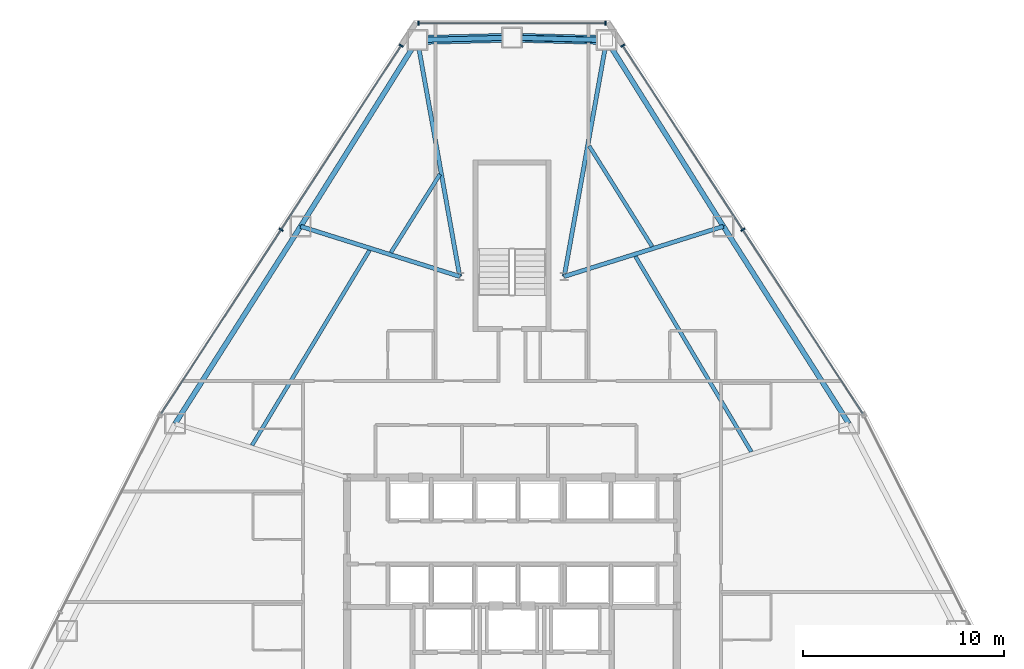
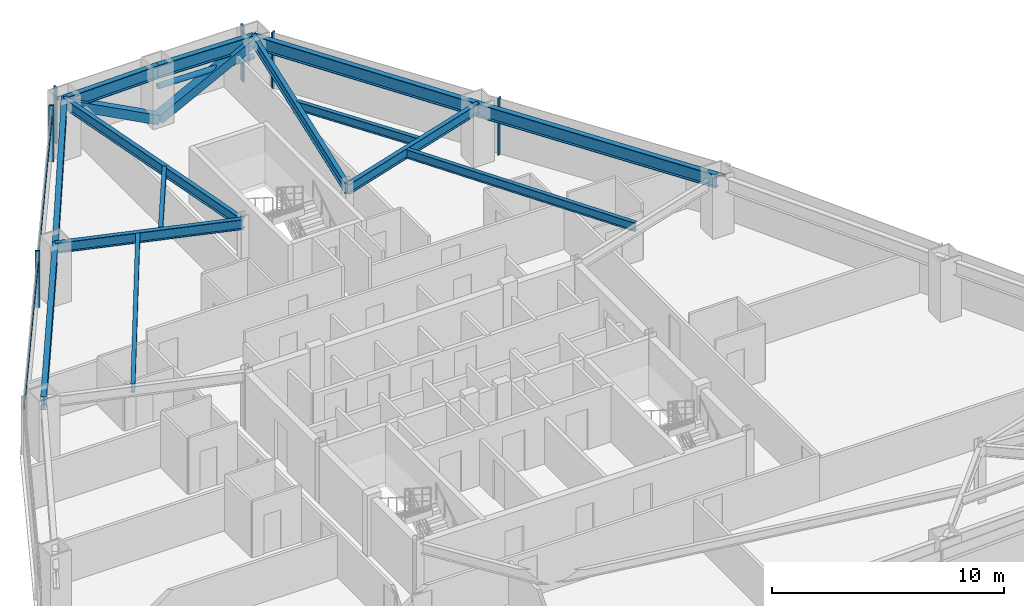
# One storey, part 7 of 12: 14 beams, 12 members, 3 elements without a shape of their own.
"""IFC4 building model written with IfcOpenShell, lengths in metres."""

from ifc_helpers import new_model, si_unit, direction, frame, origin, origin_2d, place, context, subcontext, project, spatial, rectangle, hollow_rectangle, hollow_circle, i_section, extrude, source, transform, mapped, material, layer, layer_set, material_profile, profile_set, type_object, type_shapes, element, aggregate, save


model = new_model("IFC4")

# Units and contexts
model_context = context("Model", 3, precision=1e-05, world=origin(), true_north=direction((0.0, 1.0)))
body_context = subcontext(model_context, "Body", "Model", "MODEL_VIEW")
ifc_project = project(units=[si_unit("LENGTHUNIT", "METRE"), si_unit("AREAUNIT", "SQUARE_METRE"), si_unit("VOLUMEUNIT", "CUBIC_METRE"), si_unit("PLANEANGLEUNIT", "RADIAN"), si_unit("MASSUNIT", "GRAM", prefix="KILO")], contexts=[model_context])

# Site, building, storey
site_placement = place(None, origin())
site = spatial("IfcSite", under=ifc_project, at=site_placement, CompositionType="ELEMENT")
building_placement = place(site_placement, origin())
building = spatial("IfcBuilding", under=site, at=building_placement, Name="Varakhsha Concourse Tower", CompositionType="ELEMENT")
storey_placement = place(building_placement, frame((0.0, 0.0, 76.60009765625)))
storey = spatial("IfcBuildingStorey", under=building, at=storey_placement, Name="L21", CompositionType="ELEMENT", Elevation=76.60009765625)

# Beams
ifc_material_1 = material(Name="Structural Steel ASTM A992 Grade 50", Category="steel")
ifc_material_profile_1 = material_profile(ifc_material_1, i_section(OverallWidth=0.19091796875, OverallDepth=0.45703125, WebThickness=0.009033203125, FlangeThickness=0.013916015625, at=origin_2d()), Name="W18X50")
ifc_profile_set_1 = profile_set([ifc_material_profile_1], Name="Structural Steel ASTM A992 Grade 50")
beam_type_1 = type_object("IfcBeamType", Name="BM-JST-W18X50", PredefinedType="JOIST", material=ifc_profile_set_1)
beam_1_placement = place(storey_placement, frame((36.4140625, 46.28271484375, 2.741455078125), z_axis=(-0.531044651277, -0.847343837147, 0.0), x_axis=(0.847343837147, -0.531044651277, 0.0)))
element("IfcBeam", 1, at=beam_1_placement, inside=storey, type_object=beam_type_1, Name="BM-TJST-L21-03", PredefinedType="JOIST", context=body_context, shape_type="SweptSolid", body=[
    extrude(i_section(OverallWidth=0.19091796875, OverallDepth=0.45703125, WebThickness=0.009033203125, FlangeThickness=0.013916015625, at=origin_2d()), origin(), (0.0, 0.0, 1.0), 4.59423828125),
])
beam_2_placement = place(storey_placement, frame((32.908935546875, 42.501708984375, 2.741455078125), z_axis=(-0.515971307479, -0.856605866113, 0.0), x_axis=(0.856605866113, -0.515971307479, 0.0)))
element("IfcBeam", 2, at=beam_2_placement, inside=storey, type_object=beam_type_1, Name="BM-TJST-L21-04", PredefinedType="JOIST", context=body_context, shape_type="SweptSolid", body=[
    extrude(i_section(OverallWidth=0.19091796875, OverallDepth=0.45703125, WebThickness=0.009033203125, FlangeThickness=0.013916015625, at=origin_2d()), origin(), (0.0, 0.0, 1.0), 11.332763671875),
])
beam_3_placement = place(storey_placement, frame((51.91162109375, 32.472900390625, 2.741455078125), z_axis=(-0.510195148904, 0.860058666624, 0.0), x_axis=(-0.860058666624, -0.510195148904, 0.0)))
element("IfcBeam", 3, at=beam_3_placement, inside=storey, type_object=beam_type_1, Name="BM-TJST-L21-17", PredefinedType="JOIST", context=body_context, shape_type="SweptSolid", body=[
    extrude(i_section(OverallWidth=0.19091796875, OverallDepth=0.45703125, WebThickness=0.009033203125, FlangeThickness=0.013916015625, at=origin_2d()), origin(), (0.0, 0.0, 1.0), 11.312255859375),
])
beam_4_placement = place(storey_placement, frame((46.975830078125, 42.68896484375, 2.741455078125), z_axis=(-0.531027578504, 0.847354536701, 0.0), x_axis=(-0.847354536701, -0.531027578504, 0.0)))
element("IfcBeam", 4, at=beam_4_placement, inside=storey, type_object=beam_type_1, Name="BM-TJST-L21-18", PredefinedType="JOIST", context=body_context, shape_type="SweptSolid", body=[
    extrude(i_section(OverallWidth=0.19091796875, OverallDepth=0.45703125, WebThickness=0.009033203125, FlangeThickness=0.013916015625, at=origin_2d()), origin(), (0.0, 0.0, 1.0), 5.9072265625),
])
ifc_material_profile_2 = material_profile(ifc_material_1, i_section(OverallWidth=0.2109375, OverallDepth=0.5390625, WebThickness=0.011962890625, FlangeThickness=0.01904296875, at=origin_2d()), Name="W21X73")
ifc_profile_set_2 = profile_set([ifc_material_profile_2], Name="Structural Steel ASTM A992 Grade 50")
beam_type_2 = type_object("IfcBeamType", Name="BM-RAD-W21X73", PredefinedType="BEAM", material=ifc_profile_set_2)
for number, where, z_axis, x_axis, name in (
    (5, (42.60009765625, 41.199951171875, 2.700439453125), (0.176378864409, 0.9843223538, 0.0), (-0.9843223538, 0.176378864409, 0.0), "L21 Radial Floor Girder 01"),
    (6, (37.39990234375, 41.199951171875, 2.700439453125), (-0.176378864409, 0.9843223538, 0.0), (-0.9843223538, -0.176378864409, 0.0), "L21 Radial Floor Girder 03"),
):
    element("IfcBeam", number, at=place(storey_placement, frame(where, z_axis=z_axis, x_axis=x_axis)), inside=storey, type_object=beam_type_2, Name=name, PredefinedType="BEAM", context=body_context, shape_type="SweptSolid", body=[
        extrude(i_section(OverallWidth=0.2109375, OverallDepth=0.5390625, WebThickness=0.011962890625, FlangeThickness=0.01904296875, at=origin_2d()), origin(), (0.0, 0.0, 1.0), 11.950927734375),
    ])
for number, where, z_axis, x_axis, name in (
    (7, (37.39990234375, 41.199951171875, 2.700439453125), (-0.95386094986, 0.300248710792, 0.0), (-0.300248710792, -0.95386094986, 0.0), "L21 Radial Floor Girder 04"),
    (8, (42.60009765625, 41.199951171875, 2.700439453125), (0.95386094986, 0.300248710792, 0.0), (-0.300248710792, 0.95386094986, 0.0), "L21 Radial Floor Girder 18"),
):
    element("IfcBeam", number, at=place(storey_placement, frame(where, z_axis=z_axis, x_axis=x_axis)), inside=storey, type_object=beam_type_2, Name=name, PredefinedType="BEAM", context=body_context, shape_type="SweptSolid", body=[
        extrude(i_section(OverallWidth=0.2109375, OverallDepth=0.5390625, WebThickness=0.011962890625, FlangeThickness=0.01904296875, at=origin_2d()), origin(), (0.0, 0.0, 1.0), 8.30126953125),
    ])
ifc_material_profile_3 = material_profile(ifc_material_1, i_section(OverallWidth=0.25390625, OverallDepth=0.701904296875, WebThickness=0.014892578125, FlangeThickness=0.028076171875, at=origin_2d()), Name="W27X129")
ifc_profile_set_3 = profile_set([ifc_material_profile_3], Name="Structural Steel ASTM A992 Grade 50")
beam_type_3 = type_object("IfcBeamType", Name="BM-SPAN-W27X129", PredefinedType="SPANDREL", material=ifc_profile_set_3)
for number, where, z_axis, x_axis, name in (
    (9, (44.7080078125, 52.963623046875, 2.618896484375), (-0.999681267751, 0.025246047365, 0.0), (-0.025246047365, -0.999681267751, 0.0), "BM-SPAN-L21-01"),
    (10, (40.0, 53.08251953125, 2.618896484375), (-0.999681267751, -0.025246047365, 0.0), (0.025246047365, -0.999681267751, 0.0), "BM-SPAN-L21-02"),
):
    element("IfcBeam", number, at=place(storey_placement, frame(where, z_axis=z_axis, x_axis=x_axis)), inside=storey, type_object=beam_type_3, Name=name, PredefinedType="SPANDREL", context=body_context, shape_type="SweptSolid", body=[
        extrude(i_section(OverallWidth=0.25390625, OverallDepth=0.701904296875, WebThickness=0.014892578125, FlangeThickness=0.028076171875, at=origin_2d()), origin(), (0.0, 0.0, 1.0), 4.70947265625),
    ])
beam_5_placement = place(storey_placement, frame((35.2919921875, 52.963623046875, 2.618896484375), z_axis=(-0.531035487891, -0.847349579926, 0.0), x_axis=(0.847349579926, -0.531035487891, 0.0)))
element("IfcBeam", 11, at=beam_5_placement, inside=storey, type_object=beam_type_3, Name="BM-SPAN-L21-03", PredefinedType="SPANDREL", context=body_context, shape_type="SweptSolid", body=[
    extrude(i_section(OverallWidth=0.25390625, OverallDepth=0.701904296875, WebThickness=0.014892578125, FlangeThickness=0.028076171875, at=origin_2d()), origin(), (0.0, 0.0, 1.0), 10.94140625),
])
for number, where, z_axis, x_axis, name in (
    (12, (29.481689453125, 43.6923828125, 2.618896484375), (-0.536827959969, -0.84369173363, 0.0), (0.84369173363, -0.536827959969, 0.0), "BM-SPAN-L21-04"),
    (13, (56.762939453125, 33.878173828125, 2.618896484375), (-0.536827959969, 0.84369173363, 0.0), (-0.84369173363, -0.536827959969, 0.0), "BM-SPAN-L21-17"),
):
    element("IfcBeam", number, at=place(storey_placement, frame(where, z_axis=z_axis, x_axis=x_axis)), inside=storey, type_object=beam_type_3, Name=name, PredefinedType="SPANDREL", context=body_context, shape_type="SweptSolid", body=[
        extrude(i_section(OverallWidth=0.25390625, OverallDepth=0.701904296875, WebThickness=0.014892578125, FlangeThickness=0.028076171875, at=origin_2d()), origin(), (0.0, 0.0, 1.0), 11.632568359375),
    ])
beam_6_placement = place(storey_placement, frame((50.518310546875, 43.6923828125, 2.618896484375), z_axis=(-0.531035487891, 0.847349579926, 0.0), x_axis=(-0.847349579926, -0.531035487891, 0.0)))
element("IfcBeam", 14, at=beam_6_placement, inside=storey, type_object=beam_type_3, Name="BM-SPAN-L21-18", PredefinedType="SPANDREL", context=body_context, shape_type="SweptSolid", body=[
    extrude(i_section(OverallWidth=0.25390625, OverallDepth=0.701904296875, WebThickness=0.014892578125, FlangeThickness=0.028076171875, at=origin_2d()), origin(), (0.0, 0.0, 1.0), 10.94140625),
])

# Members
ifc_material_2 = material(Name="Structural Steel ASTM A500 Grade C", Category="steel")
ifc_material_profile_4 = material_profile(ifc_material_2, hollow_rectangle(XDim=0.449951171875, YDim=0.449951171875, WallThickness=0.01904296875, at=origin_2d()), Name="HSS 450x450x19")
ifc_profile_set_4 = profile_set([ifc_material_profile_4], Name="Structural Steel ASTM A500 Grade C")
member_type_1 = type_object("IfcMemberType", Name="MB-TUBE-HSS450", PredefinedType="BRACE", material=ifc_profile_set_4)
shared_shape_1 = source(origin(), body_context, "Body", "SweptSolid", [
    extrude(hollow_rectangle(XDim=0.449951171875, YDim=0.449951171875, WallThickness=0.01904296875, at=origin_2d()), origin(), (0.0, 0.0, 1.0), 5.35546875),
])
type_shapes(member_type_1, [shared_shape_1])
for number, where, z_axis, x_axis, name in (
    (15, (40.0, 53.08251953125, 0.119873046875), (0.879084800486, -0.022200492524, 0.476148140483), (0.025246047365, 0.999681267751, 0.0), "L21 Wind-Corner Tube Brace B01"),
    (16, (40.0, 53.08251953125, 0.119873046875), (-0.879084800486, -0.022200492524, 0.476148140483), (0.025246047365, -0.999681267751, 0.0), "L21 Wind-Corner Tube Brace B02"),
):
    element("IfcMember", number, at=place(storey_placement, frame(where, z_axis=z_axis, x_axis=x_axis)), inside=storey, type_object=member_type_1, Name=name, PredefinedType="BRACE", context=body_context, shape_type="MappedRepresentation", body=[
        mapped(shared_shape_1, transform((0.0, 0.0, 0.0), scale=1.0)),
    ])
ifc_material_profile_5 = material_profile(ifc_material_2, hollow_circle(Radius=0.136474609375, WallThickness=0.011962890625, at=origin_2d()), Name="CHS 273x12")
ifc_profile_set_5 = profile_set([ifc_material_profile_5], Name="Structural Steel ASTM A500 Grade C")
member_type_2 = type_object("IfcMemberType", Name="MB-WIND-CHS273", PredefinedType="COLLAR", material=ifc_profile_set_5)
shared_shape_2 = source(origin(), body_context, "Body", "SweptSolid", [
    extrude(hollow_circle(Radius=0.136474609375, WallThickness=0.011962890625, at=origin_2d()), origin(), (0.0, 0.0, 1.0), 4.70947265625),
])
type_shapes(member_type_2, [shared_shape_2])
member_1_placement = place(storey_placement, frame((44.7080078125, 52.963623046875, 1.7998046875), z_axis=(-0.999681267751, 0.025246047365, 0.0), x_axis=(-0.025246047365, -0.999681267751, 0.0)))
element("IfcMember", 17, at=member_1_placement, inside=storey, type_object=member_type_2, Name="L21 Wind-Corner Collar Tie 1", PredefinedType="COLLAR", context=body_context, shape_type="MappedRepresentation", body=[
    mapped(shared_shape_2, transform((0.0, 0.0, 0.0), scale=1.0)),
])

# Curtain wall, member
ifc_material_3 = material(Name="Anodised Bronze Architectural Aluminium AA 6063-T6", Category="aluminium")
ifc_layer = layer(ifc_material_3, 0.199951171875, Name="CW-SYS-03")
ifc_layer_set = layer_set([ifc_layer], Name="Anodised Bronze Architectural Aluminium AA 6063-T6")
curtain_wall_type = type_object("IfcCurtainWallType", Name="CW-SYS-03", PredefinedType="NOTDEFINED", material=ifc_layer_set)
curtain_wall_1_placement = place(storey_placement, origin())
curtain_wall_1 = element("IfcCurtainWall", 18, at=curtain_wall_1_placement, inside=storey, type_object=curtain_wall_type, Name="L21 Chamfer Curtain Wall F1", PredefinedType="NOTDEFINED")
ifc_material_profile_6 = material_profile(ifc_material_3, rectangle(XDim=0.06494140625, YDim=0.159912109375, at=origin_2d()), Name="CWT-160X65")
ifc_profile_set_6 = profile_set([ifc_material_profile_6], Name="Anodised Bronze Architectural Aluminium AA 6063-T6")
member_type_3 = type_object("IfcMemberType", Name="CWT-160X65", PredefinedType="USERDEFINED", material=ifc_profile_set_6)
shared_shape_3 = source(origin(), body_context, "Body", "SweptSolid", [
    extrude(rectangle(XDim=0.06494140625, YDim=0.159912109375, at=origin_2d()), origin(), (0.0, 0.0, 1.0), 9.30322265625),
])
member_2_placement = place(storey_placement, frame((35.348388671875, 53.802490234375, 2.31982421875), z_axis=(1.0, 0.0, 0.0), x_axis=(0.0, 1.0, 0.0)))
member_2 = element("IfcMember", 19, at=member_2_placement, type_object=member_type_3, Name="CW-L21-F1 Transom 01", ObjectType="TRANSOM", PredefinedType="USERDEFINED", context=body_context, shape_type="MappedRepresentation", body=[
    mapped(shared_shape_3, transform((0.0, 0.0, 0.0), scale=1.0)),
])

curtain_wall_2_placement = place(storey_placement, origin())
curtain_wall_2 = element("IfcCurtainWall", 20, at=curtain_wall_2_placement, inside=storey, type_object=curtain_wall_type, Name="L21 Crystal Curtain Wall F2", PredefinedType="NOTDEFINED")
shared_shape_4 = source(origin(), body_context, "Body", "SweptSolid", [
    extrude(rectangle(XDim=0.06494140625, YDim=0.159912109375, at=origin_2d()), origin(), (0.0, 0.0, 1.0), 21.87353515625),
])
type_shapes(member_type_3, [shared_shape_3, shared_shape_4])
member_3_placement = place(storey_placement, frame((22.538330078125, 34.36376953125, 2.31982421875), z_axis=(0.546251778443, 0.837621032775, 0.0), x_axis=(-0.837621032775, 0.546251778443, 0.0)))
member_3 = element("IfcMember", 21, at=member_3_placement, type_object=member_type_3, Name="CW-L21-F2 Transom 01", ObjectType="TRANSOM", PredefinedType="USERDEFINED", context=body_context, shape_type="MappedRepresentation", body=[
    mapped(shared_shape_4, transform((0.0, 0.0, 0.0), scale=1.0)),
])

curtain_wall_3_placement = place(storey_placement, origin())
curtain_wall_3 = element("IfcCurtainWall", 22, at=curtain_wall_3_placement, inside=storey, type_object=curtain_wall_type, Name="L21 Crystal Curtain Wall F9", PredefinedType="NOTDEFINED")
member_4_placement = place(storey_placement, frame((45.51318359375, 52.685546875, 2.31982421875), z_axis=(0.546251778443, -0.837621032775, 0.0), x_axis=(0.837621032775, 0.546251778443, 0.0)))
member_4 = element("IfcMember", 23, at=member_4_placement, type_object=member_type_3, Name="CW-L21-F9 Transom 01", ObjectType="TRANSOM", PredefinedType="USERDEFINED", context=body_context, shape_type="MappedRepresentation", body=[
    mapped(shared_shape_4, transform((0.0, 0.0, 0.0), scale=1.0)),
])

# Member
ifc_material_profile_7 = material_profile(ifc_material_3, rectangle(XDim=0.074951171875, YDim=0.219970703125, at=origin_2d()), Name="CWM-220X75")
ifc_profile_set_7 = profile_set([ifc_material_profile_7], Name="Anodised Bronze Architectural Aluminium AA 6063-T6")
member_type_4 = type_object("IfcMemberType", Name="CWM-220X75", PredefinedType="MULLION", material=ifc_profile_set_7)
shared_shape_5 = source(origin(), body_context, "Body", "SweptSolid", [
    extrude(rectangle(XDim=0.074951171875, YDim=0.219970703125, at=origin_2d()), origin(), (0.0, 0.0, 1.0), 2.969970703125),
])
type_shapes(member_type_4, [shared_shape_5])
member_5_placement = place(storey_placement, frame((35.348388671875, 53.802490234375, 0.0), z_axis=(0.0, 0.0, 1.0), x_axis=(1.0, 0.0, 0.0)))
member_5 = element("IfcMember", 24, at=member_5_placement, type_object=member_type_4, Name="CW-L21-F1 Mullion 00", PredefinedType="MULLION", context=body_context, shape_type="MappedRepresentation", body=[
    mapped(shared_shape_5, transform((0.0, 0.0, 0.0), scale=1.0)),
])

member_6_placement = place(storey_placement, frame((44.651611328125, 53.802490234375, 0.0), z_axis=(0.0, 0.0, 1.0), x_axis=(1.0, 0.0, 0.0)))
member_6 = element("IfcMember", 25, at=member_6_placement, type_object=member_type_4, Name="CW-L21-F1 Mullion 01", PredefinedType="MULLION", context=body_context, shape_type="MappedRepresentation", body=[
    mapped(shared_shape_5, transform((0.0, 0.0, 0.0), scale=1.0)),
])

aggregate(curtain_wall_1, [member_5, member_6, member_2])

member_7_placement = place(storey_placement, frame((28.512451171875, 43.524658203125, 0.0), z_axis=(0.0, 0.0, 1.0), x_axis=(0.546249624122, 0.837622437705, 0.0)))
member_7 = element("IfcMember", 26, at=member_7_placement, type_object=member_type_4, Name="CW-L21-F2 Mullion 01", PredefinedType="MULLION", context=body_context, shape_type="MappedRepresentation", body=[
    mapped(shared_shape_5, transform((0.0, 0.0, 0.0), scale=1.0)),
])

member_8_placement = place(storey_placement, frame((34.48681640625, 52.685546875, 0.0), z_axis=(0.0, 0.0, 1.0), x_axis=(0.546249624122, 0.837622437705, 0.0)))
member_8 = element("IfcMember", 27, at=member_8_placement, type_object=member_type_4, Name="CW-L21-F2 Mullion 02", PredefinedType="MULLION", context=body_context, shape_type="MappedRepresentation", body=[
    mapped(shared_shape_5, transform((0.0, 0.0, 0.0), scale=1.0)),
])

aggregate(curtain_wall_2, [member_7, member_8, member_3])

member_9_placement = place(storey_placement, frame((45.51318359375, 52.685546875, 0.0), z_axis=(0.0, 0.0, 1.0), x_axis=(0.546249624122, -0.837622437705, 0.0)))
member_9 = element("IfcMember", 28, at=member_9_placement, type_object=member_type_4, Name="CW-L21-F9 Mullion 00", PredefinedType="MULLION", context=body_context, shape_type="MappedRepresentation", body=[
    mapped(shared_shape_5, transform((0.0, 0.0, 0.0), scale=1.0)),
])

member_10_placement = place(storey_placement, frame((51.4873046875, 43.524658203125, 0.0), z_axis=(0.0, 0.0, 1.0), x_axis=(0.546249624122, -0.837622437705, 0.0)))
member_10 = element("IfcMember", 29, at=member_10_placement, type_object=member_type_4, Name="CW-L21-F9 Mullion 01", PredefinedType="MULLION", context=body_context, shape_type="MappedRepresentation", body=[
    mapped(shared_shape_5, transform((0.0, 0.0, 0.0), scale=1.0)),
])

aggregate(curtain_wall_3, [member_9, member_10, member_4])

save(model, "model.ifc")
